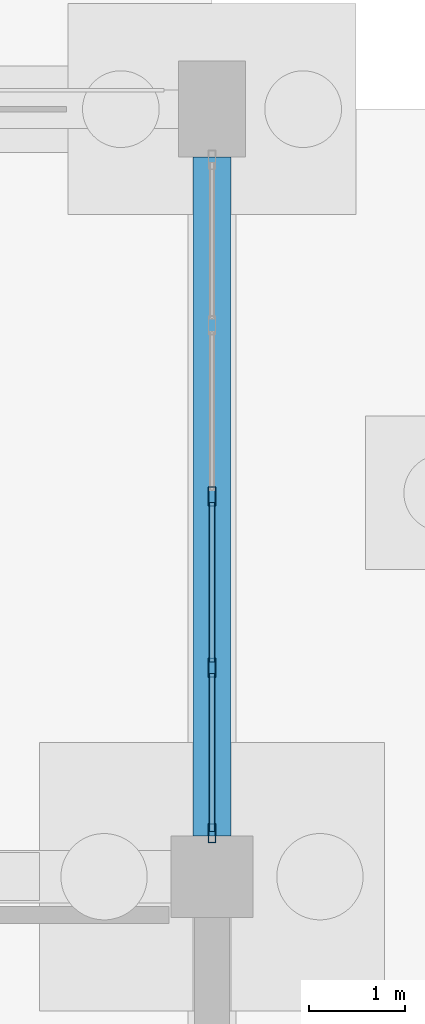
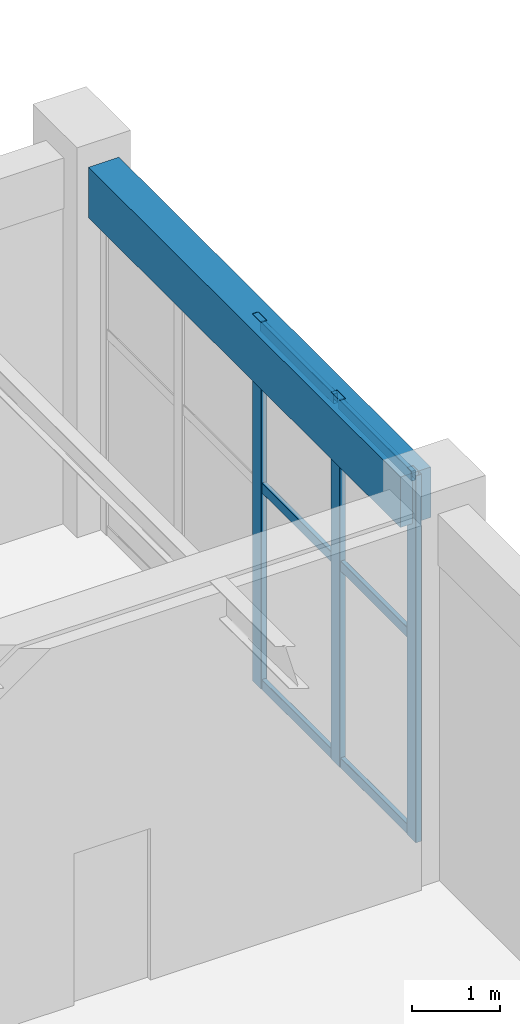
# One storey, part 41 of 121: 9 members, 1 beam, 1 element without a shape of its own.
"""IFC4 building model written with IfcOpenShell, lengths in metres."""

from ifc_helpers import new_model, si_unit, derived_unit, direction, frame, origin, origin_2d, place, context, subcontext, project, spatial, rectangle, hollow_rectangle, extrude, material, material_profile, profile_set, type_object, element, aggregate, save


model = new_model("IFC4")

# Units and contexts
model_context = context("Model", 3, precision=1e-05, world=origin(), true_north=direction((0.0, 1.0)))
body_context = subcontext(model_context, "Body", "Model", "MODEL_VIEW")
ifc_project = project(units=[si_unit("LENGTHUNIT", "METRE"), si_unit("AREAUNIT", "SQUARE_METRE"), si_unit("VOLUMEUNIT", "CUBIC_METRE"), si_unit("PLANEANGLEUNIT", "RADIAN"), si_unit("MASSUNIT", "GRAM", prefix="KILO"), derived_unit("THERMALTRANSMITTANCEUNIT", [(si_unit("MASSUNIT", "GRAM", prefix="KILO"), 1), (si_unit("TIMEUNIT", "SECOND"), -3), (si_unit("THERMODYNAMICTEMPERATUREUNIT", "KELVIN"), -1)])], contexts=[model_context])

# Site, building, storey
site_placement = place(None, origin())
site = spatial("IfcSite", under=ifc_project, at=site_placement, CompositionType="ELEMENT")
building_placement = place(site_placement, origin())
building = spatial("IfcBuilding", under=site, at=building_placement, Name="Zhenchuan Archway Interchange", CompositionType="ELEMENT")
storey_placement = place(building_placement, origin())
storey = spatial("IfcBuildingStorey", under=building, at=storey_placement, Name="L00", CompositionType="ELEMENT", Elevation=0.0)

# Curtain wall, members
ifc_material_1 = material(Name="Anodised Aluminium", Category="aluminium")
curtain_wall_type = type_object("IfcCurtainWallType", Name="CW_UNIT_3", PredefinedType="NOTDEFINED", material=ifc_material_1)
curtain_wall_placement = place(storey_placement, origin())
curtain_wall = element("IfcCurtainWall", 1, at=curtain_wall_placement, inside=storey, type_object=curtain_wall_type, Name="Unitised curtain wall CW:L00:006", PredefinedType="NOTDEFINED")
ifc_material_profile_1 = material_profile(ifc_material_1, hollow_rectangle(XDim=0.080078125, YDim=0.199951171875, WallThickness=0.00439453125, InnerFilletRadius=0.00439453125, OuterFilletRadius=0.009033203125, at=origin_2d()), Name="ALU 200x80x4.5")
ifc_profile_set_1 = profile_set([ifc_material_profile_1], Name="Anodised Aluminium")
member_type_1 = type_object("IfcMemberType", Name="CW_MUL_200", PredefinedType="MULLION", material=ifc_profile_set_1)
member_1_placement = place(storey_placement, frame((54.0, 107.96240234375, 0.0), z_axis=(0.0, 0.0, 1.0), x_axis=(1.0, 0.0, 0.0)))
member_1 = element("IfcMember", 2, at=member_1_placement, type_object=member_type_1, Name="CW:L00:006 mullion 2", PredefinedType="MULLION", context=body_context, shape_type="SweptSolid", body=[
    extrude(hollow_rectangle(XDim=0.080078125, YDim=0.199951171875, WallThickness=0.00439453125, InnerFilletRadius=0.00439453125, OuterFilletRadius=0.009033203125, at=origin_2d()), origin(), (0.0, 0.0, 1.0), 5.080078125),
])
member_2_placement = place(storey_placement, frame((54.0, 106.177734375, 0.0), z_axis=(0.0, 0.0, 1.0), x_axis=(1.0, 0.0, 0.0)))
member_2 = element("IfcMember", 3, at=member_2_placement, type_object=member_type_1, Name="CW:L00:006 mullion 3", PredefinedType="MULLION", context=body_context, shape_type="SweptSolid", body=[
    extrude(hollow_rectangle(XDim=0.080078125, YDim=0.199951171875, WallThickness=0.00439453125, InnerFilletRadius=0.00439453125, OuterFilletRadius=0.009033203125, at=origin_2d()), origin(), (0.0, 0.0, 1.0), 5.080078125),
])
member_3_placement = place(storey_placement, frame((54.0, 104.452880859375, 0.0), z_axis=(0.0, 0.0, 1.0), x_axis=(1.0, 0.0, 0.0)))
member_3 = element("IfcMember", 4, at=member_3_placement, type_object=member_type_1, Name="CW:L00:006 mullion 4", PredefinedType="MULLION", context=body_context, shape_type="SweptSolid", body=[
    extrude(hollow_rectangle(XDim=0.080078125, YDim=0.199951171875, WallThickness=0.00439453125, InnerFilletRadius=0.00439453125, OuterFilletRadius=0.009033203125, at=origin_2d()), origin(), (0.0, 0.0, 1.0), 5.080078125),
])
ifc_material_profile_2 = material_profile(ifc_material_1, hollow_rectangle(XDim=0.06005859375, YDim=0.139892578125, WallThickness=0.00341796875, InnerFilletRadius=0.00341796875, OuterFilletRadius=0.007080078125, at=origin_2d()), Name="ALU 140x60x3.5")
ifc_profile_set_2 = profile_set([ifc_material_profile_2], Name="Anodised Aluminium")
member_type_2 = type_object("IfcMemberType", Name="CW_TRN_140", PredefinedType="USERDEFINED", material=ifc_profile_set_2)
member_4_placement = place(storey_placement, frame((54.0, 107.902587890625, 0.06005859375), z_axis=(0.0, -1.0, 0.0), x_axis=(1.0, 0.0, 0.0)))
member_4 = element("IfcMember", 5, at=member_4_placement, type_object=member_type_2, Name="CW:L00:006 transom 2-1", ObjectType="TRANSOM", PredefinedType="USERDEFINED", context=body_context, shape_type="SweptSolid", body=[
    extrude(hollow_rectangle(XDim=0.06005859375, YDim=0.139892578125, WallThickness=0.00341796875, InnerFilletRadius=0.00341796875, OuterFilletRadius=0.007080078125, at=origin_2d()), origin(), (0.0, 0.0, 1.0), 1.664794921875),
])
member_5_placement = place(storey_placement, frame((54.0, 107.902587890625, 2.782958984375), z_axis=(0.0, -1.0, 0.0), x_axis=(1.0, 0.0, 0.0)))
member_5 = element("IfcMember", 6, at=member_5_placement, type_object=member_type_2, Name="CW:L00:006 transom 2-2", ObjectType="TRANSOM", PredefinedType="USERDEFINED", context=body_context, shape_type="SweptSolid", body=[
    extrude(hollow_rectangle(XDim=0.06005859375, YDim=0.139892578125, WallThickness=0.00341796875, InnerFilletRadius=0.00341796875, OuterFilletRadius=0.007080078125, at=origin_2d()), origin(), (0.0, 0.0, 1.0), 1.664794921875),
])
member_6_placement = place(storey_placement, frame((54.0, 107.902587890625, 5.0), z_axis=(0.0, -1.0, 0.0), x_axis=(1.0, 0.0, 0.0)))
member_6 = element("IfcMember", 7, at=member_6_placement, type_object=member_type_2, Name="CW:L00:006 transom 2-3", ObjectType="TRANSOM", PredefinedType="USERDEFINED", context=body_context, shape_type="SweptSolid", body=[
    extrude(hollow_rectangle(XDim=0.06005859375, YDim=0.139892578125, WallThickness=0.00341796875, InnerFilletRadius=0.00341796875, OuterFilletRadius=0.007080078125, at=origin_2d()), origin(), (0.0, 0.0, 1.0), 1.664794921875),
])
member_7_placement = place(storey_placement, frame((54.0, 106.117919921875, 0.06005859375), z_axis=(0.0, -1.0, 0.0), x_axis=(1.0, 0.0, 0.0)))
member_7 = element("IfcMember", 8, at=member_7_placement, type_object=member_type_2, Name="CW:L00:006 transom 3-1", ObjectType="TRANSOM", PredefinedType="USERDEFINED", context=body_context, shape_type="SweptSolid", body=[
    extrude(hollow_rectangle(XDim=0.06005859375, YDim=0.139892578125, WallThickness=0.00341796875, InnerFilletRadius=0.00341796875, OuterFilletRadius=0.007080078125, at=origin_2d()), origin(), (0.0, 0.0, 1.0), 1.64501953125),
])
member_8_placement = place(storey_placement, frame((54.0, 106.117919921875, 2.782958984375), z_axis=(0.0, -1.0, 0.0), x_axis=(1.0, 0.0, 0.0)))
member_8 = element("IfcMember", 9, at=member_8_placement, type_object=member_type_2, Name="CW:L00:006 transom 3-2", ObjectType="TRANSOM", PredefinedType="USERDEFINED", context=body_context, shape_type="SweptSolid", body=[
    extrude(hollow_rectangle(XDim=0.06005859375, YDim=0.139892578125, WallThickness=0.00341796875, InnerFilletRadius=0.00341796875, OuterFilletRadius=0.007080078125, at=origin_2d()), origin(), (0.0, 0.0, 1.0), 1.64501953125),
])
member_9_placement = place(storey_placement, frame((54.0, 106.117919921875, 5.0), z_axis=(0.0, -1.0, 0.0), x_axis=(1.0, 0.0, 0.0)))
member_9 = element("IfcMember", 10, at=member_9_placement, type_object=member_type_2, Name="CW:L00:006 transom 3-3", ObjectType="TRANSOM", PredefinedType="USERDEFINED", context=body_context, shape_type="SweptSolid", body=[
    extrude(hollow_rectangle(XDim=0.06005859375, YDim=0.139892578125, WallThickness=0.00341796875, InnerFilletRadius=0.00341796875, OuterFilletRadius=0.007080078125, at=origin_2d()), origin(), (0.0, 0.0, 1.0), 1.64501953125),
])
aggregate(curtain_wall, [member_1, member_2, member_3, member_4, member_5, member_6, member_7, member_8, member_9])

# Beam
ifc_material_2 = material(Name="Concrete C40", Category="concrete")
ifc_material_profile_3 = material_profile(ifc_material_2, rectangle(XDim=0.39990234375, YDim=0.699951171875, at=origin_2d()), Name="RC 400x700")
ifc_profile_set_3 = profile_set([ifc_material_profile_3], Name="Concrete C40")
beam_type = type_object("IfcBeamType", Name="SP_RC_400x700", PredefinedType="SPANDREL", material=ifc_profile_set_3)
beam_placement = place(storey_placement, frame((54.0, 104.425048828125, 4.72998046875), z_axis=(0.0, 1.0, 0.0), x_axis=(-1.0, 0.0, 0.0)))
element("IfcBeam", 11, at=beam_placement, inside=storey, type_object=beam_type, Name="Beam 7:O-P (L00)", PredefinedType="SPANDREL", context=body_context, shape_type="SweptSolid", body=[
    extrude(rectangle(XDim=0.39990234375, YDim=0.699951171875, at=origin_2d()), origin(), (0.0, 0.0, 1.0), 7.074951171875),
])

save(model, "model.ifc")
